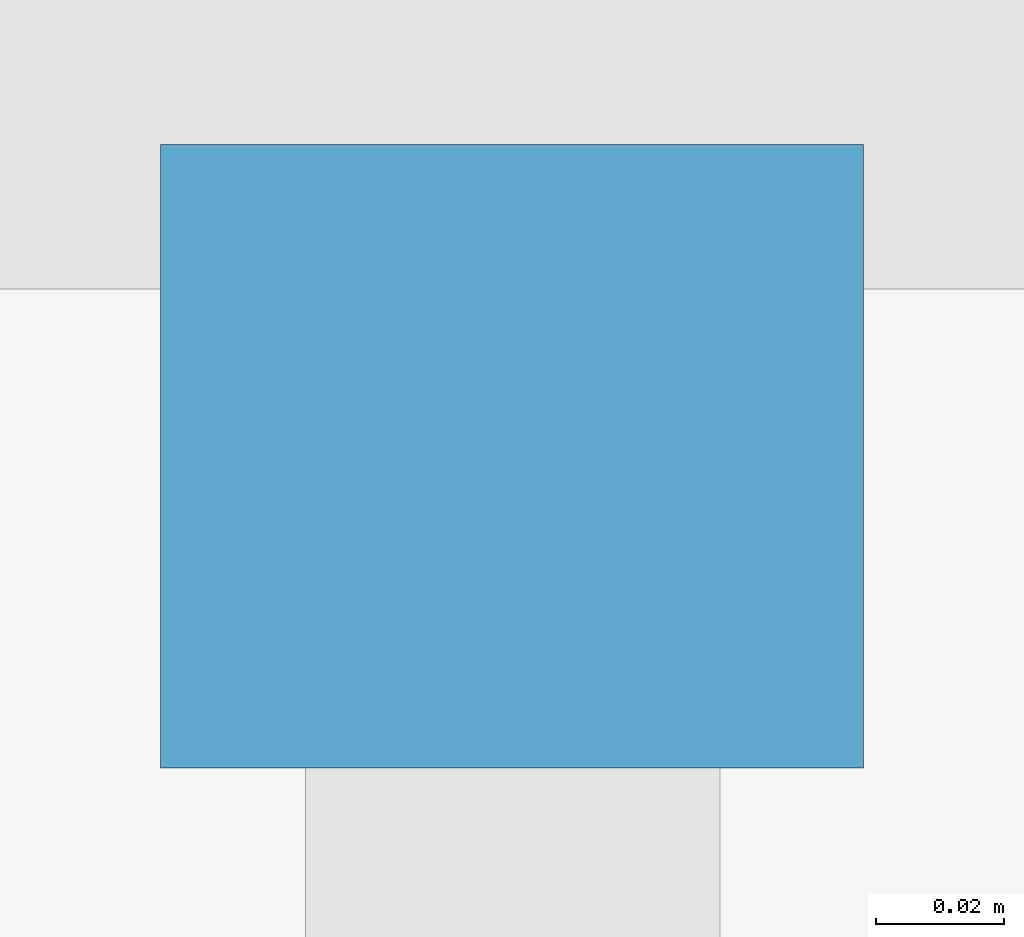
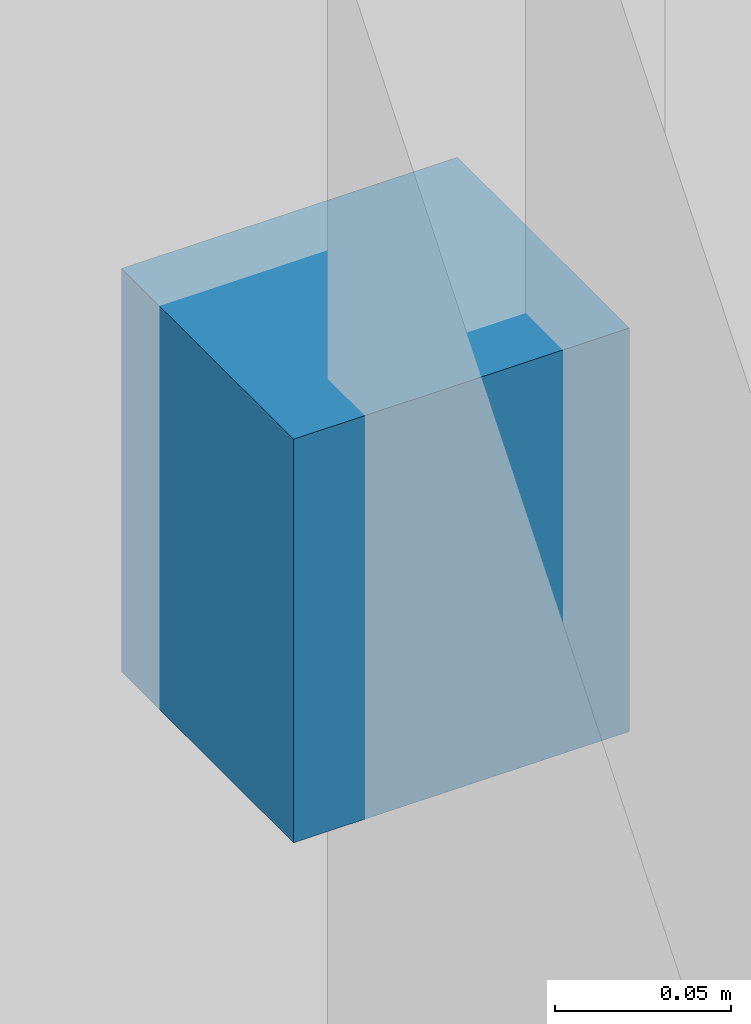
# One storey, part 15 of 28: 1 discrete accessory.
"""IFC4 building model written with IfcOpenShell, lengths in metres."""

from ifc_helpers import new_model, si_unit, direction, frame, origin, place, context, subcontext, project, spatial, polyline, outline, extrude, material, type_object, element, save


model = new_model("IFC4")

# Units and contexts
model_context = context("Model", 3, precision=1e-05, world=origin(), true_north=direction((0.0, 1.0)))
body_context = subcontext(model_context, "Body", "Model", "MODEL_VIEW")
ifc_project = project(units=[si_unit("LENGTHUNIT", "METRE"), si_unit("AREAUNIT", "SQUARE_METRE"), si_unit("VOLUMEUNIT", "CUBIC_METRE"), si_unit("PLANEANGLEUNIT", "RADIAN"), si_unit("MASSUNIT", "GRAM", prefix="KILO")], contexts=[model_context])

# Site, building, storey
site_placement = place(None, origin())
site = spatial("IfcSite", under=ifc_project, at=site_placement, CompositionType="ELEMENT")
building_placement = place(site_placement, origin())
building = spatial("IfcBuilding", under=site, at=building_placement, Name="Qalmaran Belvedere Hotel", CompositionType="ELEMENT")
storey_placement = place(building_placement, frame((0.0, 0.0, 10.0)))
storey = spatial("IfcBuildingStorey", under=building, at=storey_placement, Name="L02", CompositionType="ELEMENT", Elevation=10.0)

# Discrete accessory
ifc_material = material(Name="Stainless Steel 1.4401", Category="steel")
discrete_accessory_type = type_object("IfcDiscreteAccessoryType", Name="BRK-FIN-SS316", PredefinedType="BRACKET", material=ifc_material)
discrete_accessory_placement = place(storey_placement, frame((0.0, 0.0, 2.10009765625)))
element("IfcDiscreteAccessory", 1, at=discrete_accessory_placement, inside=storey, type_object=discrete_accessory_type, Name="L02 Fin Bracket 5", PredefinedType="BRACKET", context=body_context, shape_type="SweptSolid", body=[
    extrude(outline(polyline([(45.702392578125, 0.705078125), (45.702392578125, 0.607421875), (45.8125, 0.607421875), (45.8125, 0.705078125), (45.702392578125, 0.705078125)])), origin(), (0.0, 0.0, 1.0), 0.139892578125),
])

save(model, "model.ifc")
